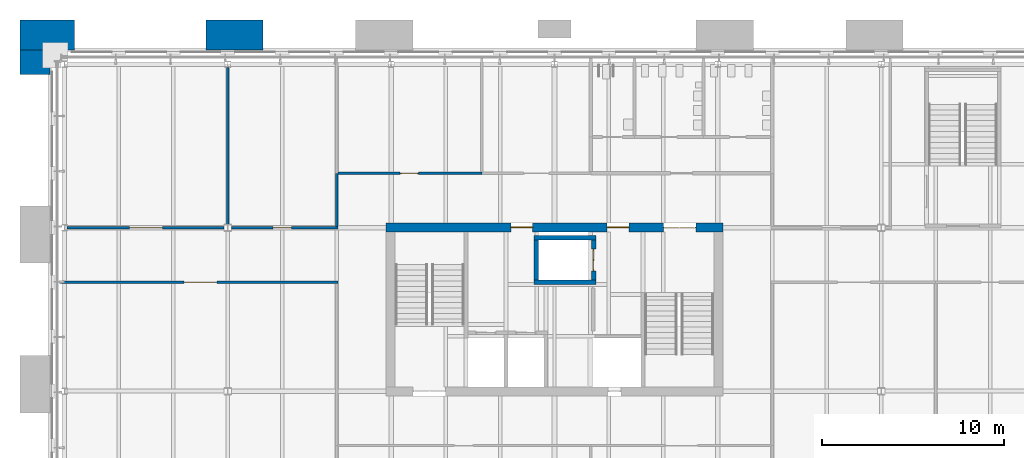
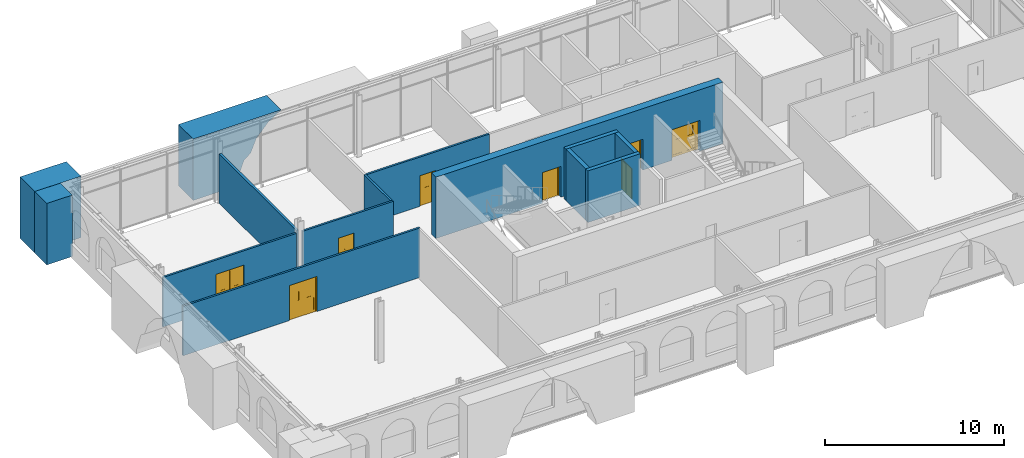
# One storey, part 12 of 22: 14 walls, 8 doors, 8 openings.
"""IFC4 building model written with IfcOpenShell, lengths in metres."""

from ifc_helpers import new_model, si_unit, direction, frame, frame_2d, origin, place, context, subcontext, project, spatial, polyline, rectangle, outline, extrude, material, layer, layer_set, type_object, element, fill, save


model = new_model("IFC4")

# Units and contexts
model_context = context("Model", 3, precision=1e-05, world=origin(), true_north=direction((0.0, 1.0)))
body_context = subcontext(model_context, "Body", "Model", "MODEL_VIEW")
ifc_project = project(units=[si_unit("LENGTHUNIT", "METRE"), si_unit("AREAUNIT", "SQUARE_METRE"), si_unit("VOLUMEUNIT", "CUBIC_METRE"), si_unit("PLANEANGLEUNIT", "RADIAN"), si_unit("MASSUNIT", "GRAM", prefix="KILO")], contexts=[model_context])

# Site, building, storey
site_placement = place(None, origin())
site = spatial("IfcSite", under=ifc_project, at=site_placement, CompositionType="ELEMENT")
building_placement = place(site_placement, origin())
building = spatial("IfcBuilding", under=site, at=building_placement, Name="Baradari Gate Terminus", CompositionType="ELEMENT")
storey_placement = place(building_placement, frame((0.0, 0.0, 28.5)))
storey = spatial("IfcBuildingStorey", under=building, at=storey_placement, Name="L06", CompositionType="ELEMENT", Elevation=28.5)

# Wall, opening, door
ifc_material_1 = material(Name="Gypsum board")
ifc_layer_1 = layer(ifc_material_1, 0.125)
ifc_layer_set_1 = layer_set([ifc_layer_1], Name="Gypsum board")
wall_type_1 = type_object("IfcWallType", Name="Corridor partition PT-5 125 EI 30", PredefinedType="PARTITIONING", material=ifc_layer_set_1)
wall_1_placement = place(storey_placement, frame((24.0625, 132.0, 0.0), z_axis=(0.0, 0.0, 1.0), x_axis=(-1.0, 0.0, 0.0)))
wall_1 = element("IfcWall", 1, at=wall_1_placement, inside=storey, type_object=wall_type_1, Name="PT-5 partition Corridor / Driving Simulator Room", PredefinedType="PARTITIONING", context=body_context, shape_type="SweptSolid", body=[
    extrude(rectangle(XDim=15.33251953125, YDim=0.125, at=frame_2d((7.666259765625, 0.0))), origin(), (0.0, 0.0, 1.0), 3.382080078125),
])
opening_1_placement = place(wall_1_placement, frame((6.66259765625, 0.0, 0.0)))
opening_1 = element("IfcOpeningElement", 2, at=opening_1_placement, cuts=wall_1, Name="Opening D06-017", PredefinedType="OPENING", context=body_context, shape_type="SweptSolid", body=[
    extrude(rectangle(XDim=1.800048828125, YDim=2.39990234375, at=frame_2d((0.89990234375, 1.199951171875))), frame((0.0, 0.072509765625, 0.0), z_axis=(0.0, -1.0, 0.0), x_axis=(1.0, 0.0, 0.0)), (0.0, 0.0, 1.0), 0.14501953125),
])
ifc_material_2 = material(Name="Steel S275", Category="steel")
door_type_1 = type_object("IfcDoorType", Name="Fire door FI-1800x2400-FD30S 1800x2400 FD30S", OperationType="DOUBLE_DOOR_SINGLE_SWING", PredefinedType="DOOR", material=ifc_material_2)
door_1_placement = place(opening_1_placement, origin())
door_1 = element("IfcDoor", 3, at=door_1_placement, inside=storey, type_object=door_type_1, Name="Door Driving Simulator Room", OperationType="DOUBLE_DOOR_SINGLE_SWING", OverallHeight=2.4, OverallWidth=1.8, PredefinedType="DOOR", context=body_context, shape_type="SweptSolid", body=[
    extrude(outline(polyline([(0.0, 0.0), (0.070068359375, 0.0), (0.070068359375, 2.329833984375), (1.72998046875, 2.329833984375), (1.72998046875, 0.0), (1.800048828125, 0.0), (1.800048828125, 2.39990234375), (0.0, 2.39990234375), (0.0, 0.0)])), frame((0.0, 0.02490234375, 0.0), z_axis=(0.0, -1.0, 0.0), x_axis=(1.0, 0.0, 0.0)), (0.0, 0.0, 1.0), 0.050048828125),
    extrude(outline(polyline([(0.073974609375, 0.010009765625), (0.89697265625, 0.010009765625), (0.89697265625, 2.325927734375), (0.073974609375, 2.325927734375), (0.073974609375, 0.010009765625)]), holes=[polyline([(0.194091796875, 0.159912109375), (0.77685546875, 0.159912109375), (0.77685546875, 1.010009765625), (0.194091796875, 1.010009765625), (0.194091796875, 0.159912109375)]), polyline([(0.33544921875, 1.159912109375), (0.635498046875, 1.159912109375), (0.635498046875, 1.760009765625), (0.33544921875, 1.760009765625), (0.33544921875, 1.159912109375)])]), frame((0.0, 0.017333984375, 0.0), z_axis=(0.0, -1.0, 0.0), x_axis=(1.0, 0.0, 0.0)), (0.0, 0.0, 1.0), 0.034912109375),
    extrude(rectangle(XDim=0.582763671875, YDim=0.85009765625, at=frame_2d((0.4853515625, 0.5849609375))), frame((0.0, 0.008544921875, 0.0), z_axis=(0.0, -1.0, 0.0), x_axis=(1.0, 0.0, 0.0)), (0.0, 0.0, 1.0), 0.017333984375),
    extrude(rectangle(XDim=0.300048828125, YDim=0.60009765625, at=frame_2d((0.4853515625, 1.4599609375))), frame((0.0, 0.005859375, 0.0), z_axis=(0.0, -1.0, 0.0), x_axis=(1.0, 0.0, 0.0)), (0.0, 0.0, 1.0), 0.011962890625),
    extrude(outline(polyline([(0.903076171875, 0.010009765625), (1.72607421875, 0.010009765625), (1.72607421875, 2.325927734375), (0.903076171875, 2.325927734375), (0.903076171875, 0.010009765625)]), holes=[polyline([(1.023193359375, 0.159912109375), (1.60595703125, 0.159912109375), (1.60595703125, 1.010009765625), (1.023193359375, 1.010009765625), (1.023193359375, 0.159912109375)]), polyline([(1.16455078125, 1.159912109375), (1.464599609375, 1.159912109375), (1.464599609375, 1.760009765625), (1.16455078125, 1.760009765625), (1.16455078125, 1.159912109375)])]), frame((0.0, 0.017333984375, 0.0), z_axis=(0.0, -1.0, 0.0), x_axis=(1.0, 0.0, 0.0)), (0.0, 0.0, 1.0), 0.034912109375),
    extrude(rectangle(XDim=0.582763671875, YDim=0.85009765625, at=frame_2d((1.314453125, 0.5849609375))), frame((0.0, 0.008544921875, 0.0), z_axis=(0.0, -1.0, 0.0), x_axis=(1.0, 0.0, 0.0)), (0.0, 0.0, 1.0), 0.017333984375),
    extrude(rectangle(XDim=0.300048828125, YDim=0.60009765625, at=frame_2d((1.314453125, 1.4599609375))), frame((0.0, 0.005859375, 0.0), z_axis=(0.0, -1.0, 0.0), x_axis=(1.0, 0.0, 0.0)), (0.0, 0.0, 1.0), 0.011962890625),
])
fill(opening_1, door_1)

wall_2_placement = place(storey_placement, frame((9.1572265625, 135.0, 0.0), z_axis=(0.0, 0.0, 1.0), x_axis=(1.0, 0.0, 0.0)))
wall_2 = element("IfcWall", 4, at=wall_2_placement, inside=storey, type_object=wall_type_1, Name="PT-5 partition Corridor / Training Classroom 1", PredefinedType="PARTITIONING", context=body_context, shape_type="SweptSolid", body=[
    extrude(rectangle(XDim=8.645263671875, YDim=0.125, at=frame_2d((4.32275390625, 0.0))), origin(), (0.0, 0.0, 1.0), 3.382080078125),
])
opening_2_placement = place(wall_2_placement, frame((3.44287109375, 0.0, 0.0)))
opening_2 = element("IfcOpeningElement", 5, at=opening_2_placement, cuts=wall_2, Name="Opening D06-015", PredefinedType="OPENING", context=body_context, shape_type="SweptSolid", body=[
    extrude(rectangle(XDim=1.800048828125, YDim=2.39990234375, at=frame_2d((0.89990234375, 1.199951171875))), frame((0.0, 0.072509765625, 0.0), z_axis=(0.0, -1.0, 0.0), x_axis=(1.0, 0.0, 0.0)), (0.0, 0.0, 1.0), 0.14501953125),
])
door_2_placement = place(opening_2_placement, frame((1.800048828125, 0.0, 0.0), z_axis=(0.0, 0.0, 1.0), x_axis=(-1.0, 0.0, 0.0)))
door_2 = element("IfcDoor", 6, at=door_2_placement, inside=storey, type_object=door_type_1, Name="Door Training Classroom 1", OperationType="DOUBLE_DOOR_SINGLE_SWING", OverallHeight=2.4, OverallWidth=1.8, PredefinedType="DOOR", context=body_context, shape_type="SweptSolid", body=[
    extrude(outline(polyline([(0.0, 0.0), (0.070068359375, 0.0), (0.070068359375, 2.329833984375), (1.72998046875, 2.329833984375), (1.72998046875, 0.0), (1.800048828125, 0.0), (1.800048828125, 2.39990234375), (0.0, 2.39990234375), (0.0, 0.0)])), frame((0.0, 0.02490234375, 0.0), z_axis=(0.0, -1.0, 0.0), x_axis=(1.0, 0.0, 0.0)), (0.0, 0.0, 1.0), 0.050048828125),
    extrude(outline(polyline([(0.073974609375, 0.010009765625), (0.89697265625, 0.010009765625), (0.89697265625, 2.325927734375), (0.073974609375, 2.325927734375), (0.073974609375, 0.010009765625)]), holes=[polyline([(0.194091796875, 0.159912109375), (0.77685546875, 0.159912109375), (0.77685546875, 1.010009765625), (0.194091796875, 1.010009765625), (0.194091796875, 0.159912109375)]), polyline([(0.33544921875, 1.159912109375), (0.635498046875, 1.159912109375), (0.635498046875, 1.760009765625), (0.33544921875, 1.760009765625), (0.33544921875, 1.159912109375)])]), frame((0.0, 0.017333984375, 0.0), z_axis=(0.0, -1.0, 0.0), x_axis=(1.0, 0.0, 0.0)), (0.0, 0.0, 1.0), 0.034912109375),
    extrude(rectangle(XDim=0.582763671875, YDim=0.85009765625, at=frame_2d((0.4853515625, 0.5849609375))), frame((0.0, 0.008544921875, 0.0), z_axis=(0.0, -1.0, 0.0), x_axis=(1.0, 0.0, 0.0)), (0.0, 0.0, 1.0), 0.017333984375),
    extrude(rectangle(XDim=0.300048828125, YDim=0.60009765625, at=frame_2d((0.4853515625, 1.4599609375))), frame((0.0, 0.005859375, 0.0), z_axis=(0.0, -1.0, 0.0), x_axis=(1.0, 0.0, 0.0)), (0.0, 0.0, 1.0), 0.011962890625),
    extrude(outline(polyline([(0.903076171875, 0.010009765625), (1.72607421875, 0.010009765625), (1.72607421875, 2.325927734375), (0.903076171875, 2.325927734375), (0.903076171875, 0.010009765625)]), holes=[polyline([(1.023193359375, 0.159912109375), (1.60595703125, 0.159912109375), (1.60595703125, 1.010009765625), (1.023193359375, 1.010009765625), (1.023193359375, 0.159912109375)]), polyline([(1.16455078125, 1.159912109375), (1.464599609375, 1.159912109375), (1.464599609375, 1.760009765625), (1.16455078125, 1.760009765625), (1.16455078125, 1.159912109375)])]), frame((0.0, 0.017333984375, 0.0), z_axis=(0.0, -1.0, 0.0), x_axis=(1.0, 0.0, 0.0)), (0.0, 0.0, 1.0), 0.034912109375),
    extrude(rectangle(XDim=0.582763671875, YDim=0.85009765625, at=frame_2d((1.314453125, 0.5849609375))), frame((0.0, 0.008544921875, 0.0), z_axis=(0.0, -1.0, 0.0), x_axis=(1.0, 0.0, 0.0)), (0.0, 0.0, 1.0), 0.017333984375),
    extrude(rectangle(XDim=0.300048828125, YDim=0.60009765625, at=frame_2d((1.314453125, 1.4599609375))), frame((0.0, 0.005859375, 0.0), z_axis=(0.0, -1.0, 0.0), x_axis=(1.0, 0.0, 0.0)), (0.0, 0.0, 1.0), 0.011962890625),
])
fill(opening_2, door_2)

wall_3_placement = place(storey_placement, frame((18.197509765625, 135.0, 0.0), z_axis=(0.0, 0.0, 1.0), x_axis=(1.0, 0.0, 0.0)))
wall_3 = element("IfcWall", 7, at=wall_3_placement, inside=storey, type_object=wall_type_1, Name="PT-5 partition Corridor / Instructor Office", PredefinedType="PARTITIONING", context=body_context, shape_type="SweptSolid", body=[
    extrude(rectangle(XDim=5.864990234375, YDim=0.125, at=frame_2d((2.9326171875, 0.0))), origin(), (0.0, 0.0, 1.0), 3.382080078125),
])
opening_3_placement = place(wall_3_placement, frame((2.302490234375, 0.0, 0.0)))
opening_3 = element("IfcOpeningElement", 8, at=opening_3_placement, cuts=wall_3, Name="Opening D06-016", PredefinedType="OPENING", context=body_context, shape_type="SweptSolid", body=[
    extrude(rectangle(XDim=1.0, YDim=2.10009765625, at=frame_2d((0.5, 1.050048828125))), frame((0.0, 0.072509765625, 0.0), z_axis=(0.0, -1.0, 0.0), x_axis=(1.0, 0.0, 0.0)), (0.0, 0.0, 1.0), 0.14501953125),
])
ifc_material_3 = material(Name="Steel S275", Category="steel")
door_type_2 = type_object("IfcDoorType", Name="Fire door FI-1000-FD30S 1000x2100 FD30S", OperationType="SINGLE_SWING_LEFT", PredefinedType="DOOR", material=ifc_material_3)
door_3_placement = place(opening_3_placement, origin())
door_3 = element("IfcDoor", 9, at=door_3_placement, inside=storey, type_object=door_type_2, Name="Door Instructor Office", OperationType="SINGLE_SWING_LEFT", OverallHeight=2.1, OverallWidth=1.0, PredefinedType="DOOR", context=body_context, shape_type="SweptSolid", body=[
    extrude(outline(polyline([(0.0, 0.0), (0.070068359375, 0.0), (0.070068359375, 2.030029296875), (0.929931640625, 2.030029296875), (0.929931640625, 0.0), (1.0, 0.0), (1.0, 2.10009765625), (0.0, 2.10009765625), (0.0, 0.0)])), frame((0.0, 0.02490234375, 0.0), z_axis=(0.0, -1.0, 0.0), x_axis=(1.0, 0.0, 0.0)), (0.0, 0.0, 1.0), 0.050048828125),
    extrude(outline(polyline([(0.073974609375, 0.010009765625), (0.926025390625, 0.010009765625), (0.926025390625, 2.026123046875), (0.073974609375, 2.026123046875), (0.073974609375, 0.010009765625)]), holes=[polyline([(0.194091796875, 0.159912109375), (0.805908203125, 0.159912109375), (0.805908203125, 1.010009765625), (0.194091796875, 1.010009765625), (0.194091796875, 0.159912109375)]), polyline([(0.35009765625, 1.159912109375), (0.64990234375, 1.159912109375), (0.64990234375, 1.760009765625), (0.35009765625, 1.760009765625), (0.35009765625, 1.159912109375)])]), frame((0.0, 0.017333984375, 0.0), z_axis=(0.0, -1.0, 0.0), x_axis=(1.0, 0.0, 0.0)), (0.0, 0.0, 1.0), 0.034912109375),
    extrude(rectangle(XDim=0.61181640625, YDim=0.85009765625, at=frame_2d((0.5, 0.5849609375))), frame((0.0, 0.008544921875, 0.0), z_axis=(0.0, -1.0, 0.0), x_axis=(1.0, 0.0, 0.0)), (0.0, 0.0, 1.0), 0.017333984375),
    extrude(rectangle(XDim=0.2998046875, YDim=0.60009765625, at=frame_2d((0.5, 1.4599609375))), frame((0.0, 0.005859375, 0.0), z_axis=(0.0, -1.0, 0.0), x_axis=(1.0, 0.0, 0.0)), (0.0, 0.0, 1.0), 0.011962890625),
])
fill(opening_3, door_3)

# Wall
wall_4_placement = place(storey_placement, frame((24.0, 135.0625, 0.0), z_axis=(0.0, 0.0, 1.0), x_axis=(0.0, 1.0, 0.0)))
element("IfcWall", 10, at=wall_4_placement, inside=storey, type_object=wall_type_1, Name="PT-5 partition Corridor / Instructor Office", PredefinedType="PARTITIONING", context=body_context, shape_type="SweptSolid", body=[
    extrude(rectangle(XDim=2.9375, YDim=0.125, at=frame_2d((1.46875, 0.0))), origin(), (0.0, 0.0, 1.0), 3.382080078125),
])

# Wall, opening, door
wall_5_placement = place(storey_placement, frame((24.074951171875, 138.0, 0.0), z_axis=(0.0, 0.0, 1.0), x_axis=(1.0, 0.0, 0.0)))
wall_5 = element("IfcWall", 11, at=wall_5_placement, inside=storey, type_object=wall_type_1, Name="PT-5 partition Corridor / Staff Clinic", PredefinedType="PARTITIONING", context=body_context, shape_type="SweptSolid", body=[
    extrude(rectangle(XDim=7.925048828125, YDim=0.125, at=frame_2d((3.96240234375, 0.0))), origin(), (0.0, 0.0, 1.0), 3.382080078125),
])
opening_4_placement = place(wall_5_placement, frame((3.425048828125, 0.0, 0.0)))
opening_4 = element("IfcOpeningElement", 12, at=opening_4_placement, cuts=wall_5, Name="Opening D06-020", PredefinedType="OPENING", context=body_context, shape_type="SweptSolid", body=[
    extrude(rectangle(XDim=1.0, YDim=2.10009765625, at=frame_2d((0.5, 1.050048828125))), frame((0.0, 0.072509765625, 0.0), z_axis=(0.0, -1.0, 0.0), x_axis=(1.0, 0.0, 0.0)), (0.0, 0.0, 1.0), 0.14501953125),
])
door_4_placement = place(opening_4_placement, origin())
door_4 = element("IfcDoor", 13, at=door_4_placement, inside=storey, type_object=door_type_2, Name="Door Staff Clinic", OperationType="SINGLE_SWING_LEFT", OverallHeight=2.1, OverallWidth=1.0, PredefinedType="DOOR", context=body_context, shape_type="SweptSolid", body=[
    extrude(outline(polyline([(0.0, 0.0), (0.070068359375, 0.0), (0.070068359375, 2.030029296875), (0.929931640625, 2.030029296875), (0.929931640625, 0.0), (1.0, 0.0), (1.0, 2.10009765625), (0.0, 2.10009765625), (0.0, 0.0)])), frame((0.0, 0.02490234375, 0.0), z_axis=(0.0, -1.0, 0.0), x_axis=(1.0, 0.0, 0.0)), (0.0, 0.0, 1.0), 0.050048828125),
    extrude(outline(polyline([(0.073974609375, 0.010009765625), (0.926025390625, 0.010009765625), (0.926025390625, 2.026123046875), (0.073974609375, 2.026123046875), (0.073974609375, 0.010009765625)]), holes=[polyline([(0.194091796875, 0.159912109375), (0.805908203125, 0.159912109375), (0.805908203125, 1.010009765625), (0.194091796875, 1.010009765625), (0.194091796875, 0.159912109375)]), polyline([(0.35009765625, 1.159912109375), (0.64990234375, 1.159912109375), (0.64990234375, 1.760009765625), (0.35009765625, 1.760009765625), (0.35009765625, 1.159912109375)])]), frame((0.0, 0.017333984375, 0.0), z_axis=(0.0, -1.0, 0.0), x_axis=(1.0, 0.0, 0.0)), (0.0, 0.0, 1.0), 0.034912109375),
    extrude(rectangle(XDim=0.61181640625, YDim=0.85009765625, at=frame_2d((0.5, 0.5849609375))), frame((0.0, 0.008544921875, 0.0), z_axis=(0.0, -1.0, 0.0), x_axis=(1.0, 0.0, 0.0)), (0.0, 0.0, 1.0), 0.017333984375),
    extrude(rectangle(XDim=0.2998046875, YDim=0.60009765625, at=frame_2d((0.5, 1.4599609375))), frame((0.0, 0.005859375, 0.0), z_axis=(0.0, -1.0, 0.0), x_axis=(1.0, 0.0, 0.0)), (0.0, 0.0, 1.0), 0.011962890625),
])
fill(opening_4, door_4)

# Walls
ifc_material_4 = material(Name="Concrete C32/40", Category="concrete")
ifc_layer_2 = layer(ifc_material_4, 0.25)
ifc_layer_set_2 = layer_set([ifc_layer_2], Name="Concrete C32/40")
wall_type_2 = type_object("IfcWallType", Name="Firefighting lift shaft wall SH-2 250 EI 120", PredefinedType="SOLIDWALL", material=ifc_layer_set_2)
for number, where, z_axis, x_axis, name in (
    (14, (34.875, 132.0, 0.0), (0.0, 0.0, 1.0), (1.0, 0.0, 0.0), "Lift shaft wall LT3 L06 S"),
    (15, (34.875, 134.449951171875, 0.0), (0.0, 0.0, 1.0), (1.0, 0.0, 0.0), "Lift shaft wall LT3 L06 N"),
):
    element("IfcWall", number, at=place(storey_placement, frame(where, z_axis=z_axis, x_axis=x_axis)), inside=storey, type_object=wall_type_2, Name=name, PredefinedType="SOLIDWALL", context=body_context, shape_type="SweptSolid", body=[
        extrude(rectangle(XDim=3.39990234375, YDim=0.25, at=frame_2d((1.699951171875, 0.0))), origin(), (0.0, 0.0, 1.0), 3.52490234375),
    ])
wall_6_placement = place(storey_placement, frame((35.0, 132.125, 0.0), z_axis=(0.0, 0.0, 1.0), x_axis=(0.0, 1.0, 0.0)))
element("IfcWall", 16, at=wall_6_placement, inside=storey, type_object=wall_type_2, Name="Lift shaft wall LT3 L06 W", PredefinedType="SOLIDWALL", context=body_context, shape_type="SweptSolid", body=[
    extrude(rectangle(XDim=2.199951171875, YDim=0.25, at=frame_2d((1.10009765625, 0.0))), origin(), (0.0, 0.0, 1.0), 3.52490234375),
])

# Wall, opening, door
wall_7_placement = place(storey_placement, frame((38.14990234375, 132.125, 0.0), z_axis=(0.0, 0.0, 1.0), x_axis=(0.0, 1.0, 0.0)))
wall_7 = element("IfcWall", 17, at=wall_7_placement, inside=storey, type_object=wall_type_2, Name="Lift shaft wall LT3 L06 E", PredefinedType="SOLIDWALL", context=body_context, shape_type="SweptSolid", body=[
    extrude(rectangle(XDim=2.199951171875, YDim=0.25, at=frame_2d((1.10009765625, 0.0))), origin(), (0.0, 0.0, 1.0), 3.52490234375),
])
opening_5_placement = place(wall_7_placement, frame((0.5, 0.0, 0.0)))
opening_5 = element("IfcOpeningElement", 18, at=opening_5_placement, cuts=wall_7, Name="Opening D06-003", PredefinedType="OPENING", context=body_context, shape_type="SweptSolid", body=[
    extrude(rectangle(XDim=1.199951171875, YDim=2.10009765625, at=frame_2d((0.60009765625, 1.050048828125))), frame((0.0, 0.135009765625, 0.0), z_axis=(0.0, -1.0, 0.0), x_axis=(1.0, 0.0, 0.0)), (0.0, 0.0, 1.0), 0.27001953125),
])
ifc_material_5 = material(Name="Stainless steel 1.4301", Category="steel")
door_type_3 = type_object("IfcDoorType", Name="Lift landing door LD2 1200x2100 E 120", OperationType="SLIDING_TO_LEFT", PredefinedType="DOOR", material=ifc_material_5)
door_5_placement = place(opening_5_placement, origin())
door_5 = element("IfcDoor", 19, at=door_5_placement, inside=storey, type_object=door_type_3, Name="Lift landing door LT3 L06", OperationType="SLIDING_TO_LEFT", OverallHeight=2.1, OverallWidth=1.2, PredefinedType="DOOR", context=body_context, shape_type="SweptSolid", body=[
    extrude(outline(polyline([(0.0, 0.0), (0.070068359375, 0.0), (0.070068359375, 2.030029296875), (1.1298828125, 2.030029296875), (1.1298828125, 0.0), (1.199951171875, 0.0), (1.199951171875, 2.10009765625), (0.0, 2.10009765625), (0.0, 0.0)])), frame((0.0, 0.02490234375, 0.0), z_axis=(0.0, -1.0, 0.0), x_axis=(1.0, 0.0, 0.0)), (0.0, 0.0, 1.0), 0.050048828125),
    extrude(rectangle(XDim=0.57861328125, YDim=2.01611328125, at=frame_2d((0.36328125, 1.01806640625))), frame((0.0, 0.017822265625, 0.0), z_axis=(0.0, -1.0, 0.0), x_axis=(1.0, 0.0, 0.0)), (0.0, 0.0, 1.0), 0.015869140625),
    extrude(rectangle(XDim=0.57470703125, YDim=2.01611328125, at=frame_2d((0.838623046875, 1.01806640625))), frame((0.0, -0.002197265625, 0.0), z_axis=(0.0, -1.0, 0.0), x_axis=(1.0, 0.0, 0.0)), (0.0, 0.0, 1.0), 0.015869140625),
])
fill(opening_5, door_5)

# Wall, openings, doors
ifc_material_6 = material(Name="Concrete C40/50", Category="concrete")
ifc_layer_3 = layer(ifc_material_6, 0.5)
ifc_layer_set_3 = layer_set([ifc_layer_3], Name="Concrete C40/50")
wall_type_3 = type_object("IfcWallType", Name="Operations block core wall CWL02 500", PredefinedType="SOLIDWALL", material=ifc_layer_set_3)
wall_8_placement = place(storey_placement, frame((26.72509765625, 135.02490234375, 0.0), z_axis=(0.0, 0.0, 1.0), x_axis=(1.0, 0.0, 0.0)))
wall_8 = element("IfcWall", 20, at=wall_8_placement, inside=storey, type_object=wall_type_3, Name="Operations block core wall CT N L06", PredefinedType="SOLIDWALL", context=body_context, shape_type="SweptSolid", body=[
    extrude(rectangle(XDim=18.5498046875, YDim=0.5, at=frame_2d((9.27490234375, 0.0))), origin(), (0.0, 0.0, 1.0), 4.199951171875),
])
opening_6_placement = place(wall_8_placement, frame((15.27490234375, 0.0, 0.0)))
opening_6 = element("IfcOpeningElement", 21, at=opening_6_placement, cuts=wall_8, Name="Opening D06-005", PredefinedType="OPENING", context=body_context, shape_type="SweptSolid", body=[
    extrude(rectangle(XDim=1.800048828125, YDim=2.10009765625, at=frame_2d((0.89990234375, 1.050048828125))), frame((0.0, 0.260009765625, 0.0), z_axis=(0.0, -1.0, 0.0), x_axis=(1.0, 0.0, 0.0)), (0.0, 0.0, 1.0), 0.52001953125),
])
opening_7_placement = place(wall_8_placement, frame((6.875, 0.0, 0.0)))
opening_7 = element("IfcOpeningElement", 22, at=opening_7_placement, cuts=wall_8, Name="Opening D06-006", PredefinedType="OPENING", context=body_context, shape_type="SweptSolid", body=[
    extrude(rectangle(XDim=1.199951171875, YDim=2.10009765625, at=frame_2d((0.60009765625, 1.050048828125))), frame((0.0, 0.260009765625, 0.0), z_axis=(0.0, -1.0, 0.0), x_axis=(1.0, 0.0, 0.0)), (0.0, 0.0, 1.0), 0.52001953125),
])
opening_8_placement = place(wall_8_placement, frame((12.175048828125, 0.0, 0.0)))
opening_8 = element("IfcOpeningElement", 23, at=opening_8_placement, cuts=wall_8, Name="Opening D06-007", PredefinedType="OPENING", context=body_context, shape_type="SweptSolid", body=[
    extrude(rectangle(XDim=1.199951171875, YDim=2.10009765625, at=frame_2d((0.60009765625, 1.050048828125))), frame((0.0, 0.260009765625, 0.0), z_axis=(0.0, -1.0, 0.0), x_axis=(1.0, 0.0, 0.0)), (0.0, 0.0, 1.0), 0.52001953125),
])
ifc_material_7 = material(Name="Steel S275", Category="steel")
door_type_4 = type_object("IfcDoorType", Name="Fire door FI-1200-FD90S 1200x2100 FD90S", OperationType="DOUBLE_DOOR_SINGLE_SWING", PredefinedType="DOOR", material=ifc_material_7)
door_6_placement = place(opening_7_placement, frame((1.199951171875, 0.0, 0.0), z_axis=(0.0, 0.0, 1.0), x_axis=(-1.0, 0.0, 0.0)))
door_6 = element("IfcDoor", 24, at=door_6_placement, inside=storey, type_object=door_type_4, Name="Door Lift Lobby", OperationType="DOUBLE_DOOR_SINGLE_SWING", OverallHeight=2.1, OverallWidth=1.2, PredefinedType="DOOR", context=body_context, shape_type="SweptSolid", body=[
    extrude(outline(polyline([(0.0, 0.0), (0.070068359375, 0.0), (0.070068359375, 2.030029296875), (1.1298828125, 2.030029296875), (1.1298828125, 0.0), (1.199951171875, 0.0), (1.199951171875, 2.10009765625), (0.0, 2.10009765625), (0.0, 0.0)])), frame((0.0, 0.02490234375, 0.0), z_axis=(0.0, -1.0, 0.0), x_axis=(1.0, 0.0, 0.0)), (0.0, 0.0, 1.0), 0.050048828125),
    extrude(outline(polyline([(0.073974609375, 0.010009765625), (0.596923828125, 0.010009765625), (0.596923828125, 2.026123046875), (0.073974609375, 2.026123046875), (0.073974609375, 0.010009765625)]), holes=[polyline([(0.178466796875, 0.372802734375), (0.492431640625, 0.372802734375), (0.492431640625, 1.7841796875), (0.178466796875, 1.7841796875), (0.178466796875, 0.372802734375)])]), frame((0.0, 0.017333984375, 0.0), z_axis=(0.0, -1.0, 0.0), x_axis=(1.0, 0.0, 0.0)), (0.0, 0.0, 1.0), 0.034912109375),
    extrude(rectangle(XDim=0.31396484375, YDim=1.411376953125, at=frame_2d((0.33544921875, 1.07861328125))), frame((0.0, 0.008544921875, 0.0), z_axis=(0.0, -1.0, 0.0), x_axis=(1.0, 0.0, 0.0)), (0.0, 0.0, 1.0), 0.017333984375),
    extrude(outline(polyline([(0.60302734375, 0.010009765625), (1.1259765625, 0.010009765625), (1.1259765625, 2.026123046875), (0.60302734375, 2.026123046875), (0.60302734375, 0.010009765625)]), holes=[polyline([(0.70751953125, 0.372802734375), (1.021484375, 0.372802734375), (1.021484375, 1.7841796875), (0.70751953125, 1.7841796875), (0.70751953125, 0.372802734375)])]), frame((0.0, 0.017333984375, 0.0), z_axis=(0.0, -1.0, 0.0), x_axis=(1.0, 0.0, 0.0)), (0.0, 0.0, 1.0), 0.034912109375),
    extrude(rectangle(XDim=0.31396484375, YDim=1.411376953125, at=frame_2d((0.864501953125, 1.07861328125))), frame((0.0, 0.008544921875, 0.0), z_axis=(0.0, -1.0, 0.0), x_axis=(1.0, 0.0, 0.0)), (0.0, 0.0, 1.0), 0.017333984375),
])
fill(opening_7, door_6)
door_7_placement = place(opening_8_placement, frame((1.199951171875, 0.0, 0.0), z_axis=(0.0, 0.0, 1.0), x_axis=(-1.0, 0.0, 0.0)))
door_7 = element("IfcDoor", 25, at=door_7_placement, inside=storey, type_object=door_type_4, Name="Door Lift Lobby (Fire-fighting)", OperationType="DOUBLE_DOOR_SINGLE_SWING", OverallHeight=2.1, OverallWidth=1.2, PredefinedType="DOOR", context=body_context, shape_type="SweptSolid", body=[
    extrude(outline(polyline([(0.0, 0.0), (0.070068359375, 0.0), (0.070068359375, 2.030029296875), (1.1298828125, 2.030029296875), (1.1298828125, 0.0), (1.199951171875, 0.0), (1.199951171875, 2.10009765625), (0.0, 2.10009765625), (0.0, 0.0)])), frame((0.0, 0.02490234375, 0.0), z_axis=(0.0, -1.0, 0.0), x_axis=(1.0, 0.0, 0.0)), (0.0, 0.0, 1.0), 0.050048828125),
    extrude(outline(polyline([(0.073974609375, 0.010009765625), (0.596923828125, 0.010009765625), (0.596923828125, 2.026123046875), (0.073974609375, 2.026123046875), (0.073974609375, 0.010009765625)]), holes=[polyline([(0.178466796875, 0.372802734375), (0.492431640625, 0.372802734375), (0.492431640625, 1.7841796875), (0.178466796875, 1.7841796875), (0.178466796875, 0.372802734375)])]), frame((0.0, 0.017333984375, 0.0), z_axis=(0.0, -1.0, 0.0), x_axis=(1.0, 0.0, 0.0)), (0.0, 0.0, 1.0), 0.034912109375),
    extrude(rectangle(XDim=0.31396484375, YDim=1.411376953125, at=frame_2d((0.33544921875, 1.07861328125))), frame((0.0, 0.008544921875, 0.0), z_axis=(0.0, -1.0, 0.0), x_axis=(1.0, 0.0, 0.0)), (0.0, 0.0, 1.0), 0.017333984375),
    extrude(outline(polyline([(0.60302734375, 0.010009765625), (1.1259765625, 0.010009765625), (1.1259765625, 2.026123046875), (0.60302734375, 2.026123046875), (0.60302734375, 0.010009765625)]), holes=[polyline([(0.70751953125, 0.372802734375), (1.021484375, 0.372802734375), (1.021484375, 1.7841796875), (0.70751953125, 1.7841796875), (0.70751953125, 0.372802734375)])]), frame((0.0, 0.017333984375, 0.0), z_axis=(0.0, -1.0, 0.0), x_axis=(1.0, 0.0, 0.0)), (0.0, 0.0, 1.0), 0.034912109375),
    extrude(rectangle(XDim=0.31396484375, YDim=1.411376953125, at=frame_2d((0.864501953125, 1.07861328125))), frame((0.0, 0.008544921875, 0.0), z_axis=(0.0, -1.0, 0.0), x_axis=(1.0, 0.0, 0.0)), (0.0, 0.0, 1.0), 0.017333984375),
])
fill(opening_8, door_7)
ifc_material_8 = material(Name="Steel S275", Category="steel")
door_type_5 = type_object("IfcDoorType", Name="Fire door FI-1800-FD90S 1800x2100 FD90S", OperationType="DOUBLE_DOOR_SINGLE_SWING", PredefinedType="DOOR", material=ifc_material_8)
door_8_placement = place(opening_6_placement, frame((1.800048828125, 0.0, 0.0), z_axis=(0.0, 0.0, 1.0), x_axis=(-1.0, 0.0, 0.0)))
door_8 = element("IfcDoor", 26, at=door_8_placement, inside=storey, type_object=door_type_5, Name="Door Stair (Core) 2", OperationType="DOUBLE_DOOR_SINGLE_SWING", OverallHeight=2.1, OverallWidth=1.8, PredefinedType="DOOR", context=body_context, shape_type="SweptSolid", body=[
    extrude(outline(polyline([(0.0, 0.0), (0.070068359375, 0.0), (0.070068359375, 2.030029296875), (1.72998046875, 2.030029296875), (1.72998046875, 0.0), (1.800048828125, 0.0), (1.800048828125, 2.10009765625), (0.0, 2.10009765625), (0.0, 0.0)])), frame((0.0, 0.02490234375, 0.0), z_axis=(0.0, -1.0, 0.0), x_axis=(1.0, 0.0, 0.0)), (0.0, 0.0, 1.0), 0.050048828125),
    extrude(outline(polyline([(0.073974609375, 0.010009765625), (0.89697265625, 0.010009765625), (0.89697265625, 2.026123046875), (0.073974609375, 2.026123046875), (0.073974609375, 0.010009765625)]), holes=[polyline([(0.194091796875, 0.159912109375), (0.77685546875, 0.159912109375), (0.77685546875, 1.010009765625), (0.194091796875, 1.010009765625), (0.194091796875, 0.159912109375)]), polyline([(0.33544921875, 1.159912109375), (0.635498046875, 1.159912109375), (0.635498046875, 1.760009765625), (0.33544921875, 1.760009765625), (0.33544921875, 1.159912109375)])]), frame((0.0, 0.017333984375, 0.0), z_axis=(0.0, -1.0, 0.0), x_axis=(1.0, 0.0, 0.0)), (0.0, 0.0, 1.0), 0.034912109375),
    extrude(rectangle(XDim=0.582763671875, YDim=0.85009765625, at=frame_2d((0.4853515625, 0.5849609375))), frame((0.0, 0.008544921875, 0.0), z_axis=(0.0, -1.0, 0.0), x_axis=(1.0, 0.0, 0.0)), (0.0, 0.0, 1.0), 0.017333984375),
    extrude(rectangle(XDim=0.300048828125, YDim=0.60009765625, at=frame_2d((0.4853515625, 1.4599609375))), frame((0.0, 0.005859375, 0.0), z_axis=(0.0, -1.0, 0.0), x_axis=(1.0, 0.0, 0.0)), (0.0, 0.0, 1.0), 0.011962890625),
    extrude(outline(polyline([(0.903076171875, 0.010009765625), (1.72607421875, 0.010009765625), (1.72607421875, 2.026123046875), (0.903076171875, 2.026123046875), (0.903076171875, 0.010009765625)]), holes=[polyline([(1.023193359375, 0.159912109375), (1.60595703125, 0.159912109375), (1.60595703125, 1.010009765625), (1.023193359375, 1.010009765625), (1.023193359375, 0.159912109375)]), polyline([(1.16455078125, 1.159912109375), (1.464599609375, 1.159912109375), (1.464599609375, 1.760009765625), (1.16455078125, 1.760009765625), (1.16455078125, 1.159912109375)])]), frame((0.0, 0.017333984375, 0.0), z_axis=(0.0, -1.0, 0.0), x_axis=(1.0, 0.0, 0.0)), (0.0, 0.0, 1.0), 0.034912109375),
    extrude(rectangle(XDim=0.582763671875, YDim=0.85009765625, at=frame_2d((1.314453125, 0.5849609375))), frame((0.0, 0.008544921875, 0.0), z_axis=(0.0, -1.0, 0.0), x_axis=(1.0, 0.0, 0.0)), (0.0, 0.0, 1.0), 0.017333984375),
    extrude(rectangle(XDim=0.300048828125, YDim=0.60009765625, at=frame_2d((1.314453125, 1.4599609375))), frame((0.0, 0.005859375, 0.0), z_axis=(0.0, -1.0, 0.0), x_axis=(1.0, 0.0, 0.0)), (0.0, 0.0, 1.0), 0.011962890625),
])
fill(opening_6, door_8)

# Walls
ifc_material_9 = material(Name="Blockwork wall, plastered", Category="masonry")
ifc_layer_4 = layer(ifc_material_9, 0.14990234375)
ifc_layer_set_4 = layer_set([ifc_layer_4], Name="Blockwork wall, plastered")
wall_type_4 = type_object("IfcWallType", Name="Partition PT-2 150 EI 60", PredefinedType="PARTITIONING", material=ifc_layer_set_4)
wall_9_placement = place(storey_placement, frame((18.0, 143.830078125, 0.0), z_axis=(0.0, 0.0, 1.0), x_axis=(0.0, -1.0, 0.0)))
element("IfcWall", 27, at=wall_9_placement, inside=storey, type_object=wall_type_4, Name="PT-2 partition Training Classroom 1 / Instructor Office", PredefinedType="PARTITIONING", context=body_context, shape_type="SweptSolid", body=[
    extrude(rectangle(XDim=8.6396484375, YDim=0.14990234375, at=frame_2d((4.31982421875, 0.0))), origin(), (0.0, 0.0, 1.0), 3.382080078125),
])
ifc_material_10 = material(Name="Concrete C40/50 precast", Category="concrete")
ifc_layer_5 = layer(ifc_material_10, 1.55)
ifc_material_11 = material(Name="Sandstone cladding", Category="masonry")
ifc_layer_6 = layer(ifc_material_11, 0.1)
ifc_layer_set_5 = layer_set([ifc_layer_5, ifc_layer_6], Name="Concrete C40/50 precast")
wall_type_5 = type_object("IfcWallType", Name="Sandstone-faced precast frame pier WQ-4 1650", PredefinedType="SOLIDWALL", material=ifc_layer_set_5)
wall_10_placement = place(storey_placement, frame((16.800048828125, 145.6201171875, 0.0), z_axis=(0.0, 0.0, 1.0), x_axis=(1.0, 0.0, 0.0)))
element("IfcWall", 28, at=wall_10_placement, inside=storey, type_object=wall_type_5, Name="Frame portal wall N face bay 1 1", PredefinedType="SOLIDWALL", context=body_context, shape_type="SweptSolid", body=[
    extrude(outline(polyline([(2.795166015625, 0.0), (2.820068359375, 0.31201171875), (3.300048828125, 1.60791015625), (3.719970703125, 1.931884765625), (4.080078125, 2.7958984375), (4.860107421875, 3.659912109375), (5.699951171875, 4.199951171875), (0.0, 4.199951171875), (0.0, 0.0), (2.795166015625, 0.0)])), frame((0.0, 0.824951171875, 0.0), z_axis=(0.0, -1.0, 0.0), x_axis=(1.0, 0.0, 0.0)), (0.0, 0.0, 1.0), 1.64990234375),
])
wall_11_placement = place(storey_placement, frame((6.554931640625, 145.6201171875, 0.0), z_axis=(0.0, 0.0, 1.0), x_axis=(1.0, 0.0, 0.0)))
element("IfcWall", 29, at=wall_11_placement, inside=storey, type_object=wall_type_5, Name="Corner pilaster NW leg A L06", PredefinedType="SOLIDWALL", context=body_context, shape_type="SweptSolid", body=[
    extrude(rectangle(XDim=3.0, YDim=1.64990234375, at=frame_2d((1.5, 0.0))), origin(), (0.0, 0.0, 1.0), 4.199951171875),
])
wall_12_placement = place(storey_placement, frame((7.3798828125, 143.445068359375, 0.0), z_axis=(0.0, 0.0, 1.0), x_axis=(0.0, 1.0, 0.0)))
element("IfcWall", 30, at=wall_12_placement, inside=storey, type_object=wall_type_5, Name="Corner pilaster NW leg B L06", PredefinedType="SOLIDWALL", context=body_context, shape_type="SweptSolid", body=[
    extrude(rectangle(XDim=1.349853515625, YDim=1.64990234375, at=frame_2d((0.6748046875, 0.0))), origin(), (0.0, 0.0, 1.0), 4.199951171875),
])

save(model, "model.ifc")
